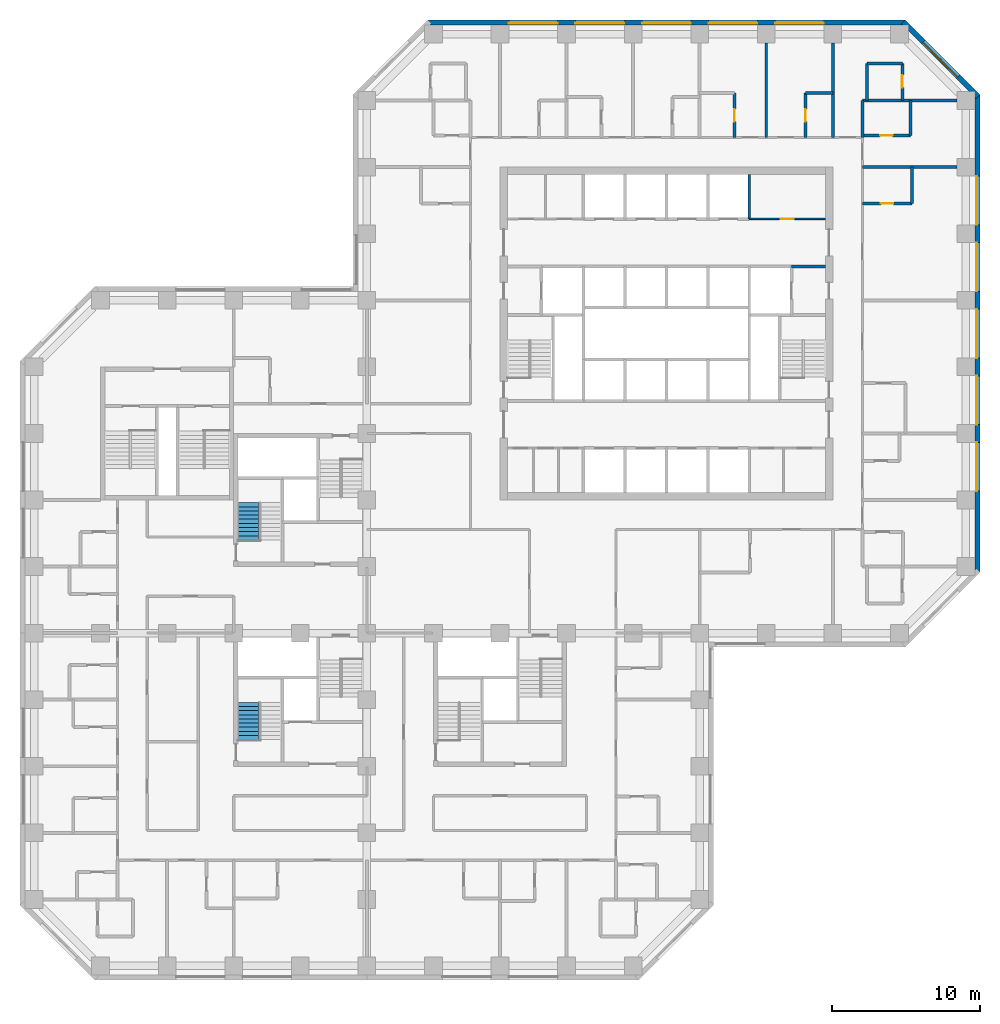
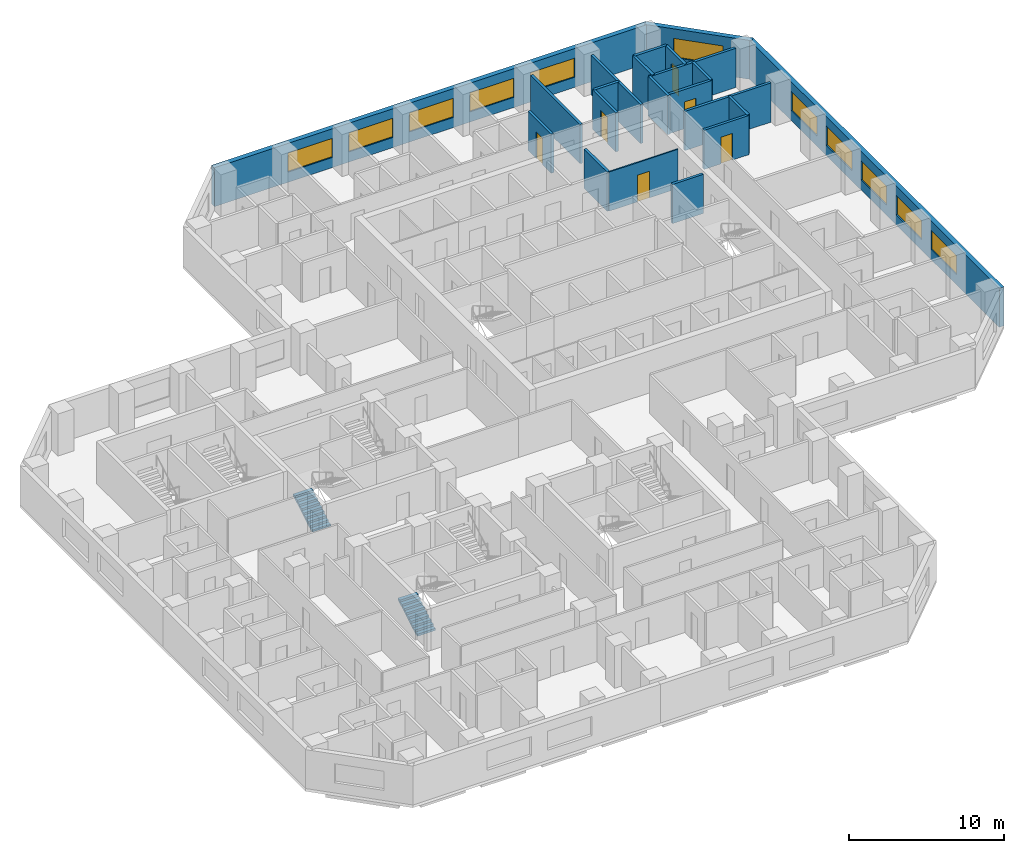
# One storey, part 10 of 12: 21 walls, 11 windows, 6 doors, 2 stair flights, 17 openings, 2 elements without a shape of their own.
"""IFC4 building model written with IfcOpenShell, lengths in metres."""

from ifc_helpers import new_model, si_unit, direction, frame, frame_2d, origin, place, context, subcontext, project, spatial, polyline, rectangle, outline, extrude, material, layer, layer_set, constituent, constituent_set, type_object, element, fill, aggregate, save


model = new_model("IFC4")

# Units and contexts
model_context = context("Model", 3, precision=1e-05, world=origin(), true_north=direction((0.0, 1.0)))
body_context = subcontext(model_context, "Body", "Model", "MODEL_VIEW")
ifc_project = project(units=[si_unit("LENGTHUNIT", "METRE"), si_unit("AREAUNIT", "SQUARE_METRE"), si_unit("VOLUMEUNIT", "CUBIC_METRE"), si_unit("PLANEANGLEUNIT", "RADIAN"), si_unit("MASSUNIT", "GRAM", prefix="KILO")], contexts=[model_context])

# Site, building, storey
site_placement = place(None, origin())
site = spatial("IfcSite", under=ifc_project, at=site_placement, CompositionType="ELEMENT")
building_placement = place(site_placement, origin())
building = spatial("IfcBuilding", under=site, at=building_placement, Name="Quoin Convention Tower", CompositionType="ELEMENT")
storey_placement = place(building_placement, frame((0.0, 0.0, 56.10009765625)))
storey = spatial("IfcBuildingStorey", under=building, at=storey_placement, Name="L14", CompositionType="ELEMENT", Elevation=56.10009765625)

# Wall, openings, windows
ifc_material_1 = material(Name="Brick masonry", Category="masonry")
ifc_layer_1 = layer(ifc_material_1, 0.35009765625)
ifc_layer_set_1 = layer_set([ifc_layer_1], Name="Brick masonry")
wall_type_1 = type_object("IfcWallType", Name="Brick facade wall", PredefinedType="STANDARD", material=ifc_layer_set_1)
wall_1_placement = place(storey_placement, frame((77.27490234375, 44.6064453125, 0.0), z_axis=(0.0, 0.0, 1.0), x_axis=(0.0, 1.0, 0.0)))
wall_1 = element("IfcWall", 1, at=wall_1_placement, inside=storey, type_object=wall_type_1, Name="fw-L14-76500_45000", PredefinedType="STANDARD", context=body_context, shape_type="SweptSolid", body=[
    extrude(rectangle(XDim=32.287109375, YDim=0.35009765625, at=frame_2d((16.1435546875, 0.0))), origin(), (0.0, 0.0, 1.0), 3.054931640625),
])
opening_1_placement = place(wall_1_placement, frame((5.493408203125, 0.0, 0.800048828125)))
opening_1 = element("IfcOpeningElement", 2, at=opening_1_placement, cuts=wall_1, Name="Opening W-01", PredefinedType="OPENING", context=body_context, shape_type="SweptSolid", body=[
    extrude(rectangle(XDim=3.300048828125, YDim=1.5, at=frame_2d((1.64990234375, 0.75))), frame((0.0, 0.18505859375, 0.0), z_axis=(0.0, -1.0, 0.0), x_axis=(1.0, 0.0, 0.0)), (0.0, 0.0, 1.0), 0.3701171875),
])
opening_2_placement = place(wall_1_placement, frame((9.993408203125, 0.0, 0.800048828125)))
opening_2 = element("IfcOpeningElement", 3, at=opening_2_placement, cuts=wall_1, Name="Opening W-01", PredefinedType="OPENING", context=body_context, shape_type="SweptSolid", body=[
    extrude(rectangle(XDim=3.300048828125, YDim=1.5, at=frame_2d((1.64990234375, 0.75))), frame((0.0, 0.18505859375, 0.0), z_axis=(0.0, -1.0, 0.0), x_axis=(1.0, 0.0, 0.0)), (0.0, 0.0, 1.0), 0.3701171875),
])
opening_3_placement = place(wall_1_placement, frame((14.493408203125, 0.0, 0.800048828125)))
opening_3 = element("IfcOpeningElement", 4, at=opening_3_placement, cuts=wall_1, Name="Opening W-01", PredefinedType="OPENING", context=body_context, shape_type="SweptSolid", body=[
    extrude(rectangle(XDim=3.300048828125, YDim=1.5, at=frame_2d((1.64990234375, 0.75))), frame((0.0, 0.18505859375, 0.0), z_axis=(0.0, -1.0, 0.0), x_axis=(1.0, 0.0, 0.0)), (0.0, 0.0, 1.0), 0.3701171875),
])
opening_4_placement = place(wall_1_placement, frame((18.993408203125, 0.0, 0.800048828125)))
opening_4 = element("IfcOpeningElement", 5, at=opening_4_placement, cuts=wall_1, Name="Opening W-01", PredefinedType="OPENING", context=body_context, shape_type="SweptSolid", body=[
    extrude(rectangle(XDim=3.300048828125, YDim=1.5, at=frame_2d((1.64990234375, 0.75))), frame((0.0, 0.18505859375, 0.0), z_axis=(0.0, -1.0, 0.0), x_axis=(1.0, 0.0, 0.0)), (0.0, 0.0, 1.0), 0.3701171875),
])
opening_5_placement = place(wall_1_placement, frame((23.493408203125, 0.0, 0.800048828125)))
opening_5 = element("IfcOpeningElement", 6, at=opening_5_placement, cuts=wall_1, Name="Opening W-01", PredefinedType="OPENING", context=body_context, shape_type="SweptSolid", body=[
    extrude(rectangle(XDim=3.300048828125, YDim=1.5, at=frame_2d((1.64990234375, 0.75))), frame((0.0, 0.18505859375, 0.0), z_axis=(0.0, -1.0, 0.0), x_axis=(1.0, 0.0, 0.0)), (0.0, 0.0, 1.0), 0.3701171875),
])
ifc_material_2 = material(Name="Aluminium", Category="aluminium")
ifc_constituent_1 = constituent(ifc_material_2, Name="Frame")
ifc_material_3 = material(Name="Insulated glass", Category="glass")
ifc_constituent_2 = constituent(ifc_material_3, Name="Glazing")
ifc_constituent_set = constituent_set(constituents=[ifc_constituent_1, ifc_constituent_2], Name="Aluminium")
window_type = type_object("IfcWindowType", Name="Hotel strip window", PartitioningType="DOUBLE_PANEL_VERTICAL", PredefinedType="WINDOW", material=ifc_constituent_set)
window_1_placement = place(opening_1_placement, origin())
window_1 = element("IfcWindow", 7, at=window_1_placement, inside=storey, type_object=window_type, Name="win-L14-77275_51750", OverallHeight=1.5, OverallWidth=3.300048828125, PartitioningType="SINGLE_PANEL", PredefinedType="WINDOW", context=body_context, shape_type="SweptSolid", body=[
    extrude(rectangle(XDim=3.300048828125, YDim=1.5, at=frame_2d((1.64990234375, 0.75))), frame((0.0, 0.0849609375, 0.0), z_axis=(0.0, -1.0, 0.0), x_axis=(1.0, 0.0, 0.0)), (0.0, 0.0, 1.0), 0.06005859375),
])
fill(opening_1, window_1)
window_2_placement = place(opening_2_placement, origin())
window_2 = element("IfcWindow", 8, at=window_2_placement, inside=storey, type_object=window_type, Name="win-L14-77275_56250", OverallHeight=1.5, OverallWidth=3.300048828125, PartitioningType="SINGLE_PANEL", PredefinedType="WINDOW", context=body_context, shape_type="SweptSolid", body=[
    extrude(rectangle(XDim=3.300048828125, YDim=1.5, at=frame_2d((1.64990234375, 0.75))), frame((0.0, 0.0849609375, 0.0), z_axis=(0.0, -1.0, 0.0), x_axis=(1.0, 0.0, 0.0)), (0.0, 0.0, 1.0), 0.06005859375),
])
fill(opening_2, window_2)
window_3_placement = place(opening_3_placement, origin())
window_3 = element("IfcWindow", 9, at=window_3_placement, inside=storey, type_object=window_type, Name="win-L14-77275_60750", OverallHeight=1.5, OverallWidth=3.300048828125, PartitioningType="SINGLE_PANEL", PredefinedType="WINDOW", context=body_context, shape_type="SweptSolid", body=[
    extrude(rectangle(XDim=3.300048828125, YDim=1.5, at=frame_2d((1.64990234375, 0.75))), frame((0.0, 0.0849609375, 0.0), z_axis=(0.0, -1.0, 0.0), x_axis=(1.0, 0.0, 0.0)), (0.0, 0.0, 1.0), 0.06005859375),
])
fill(opening_3, window_3)
window_4_placement = place(opening_4_placement, origin())
window_4 = element("IfcWindow", 10, at=window_4_placement, inside=storey, type_object=window_type, Name="win-L14-77275_65250", OverallHeight=1.5, OverallWidth=3.300048828125, PartitioningType="SINGLE_PANEL", PredefinedType="WINDOW", context=body_context, shape_type="SweptSolid", body=[
    extrude(rectangle(XDim=3.300048828125, YDim=1.5, at=frame_2d((1.64990234375, 0.75))), frame((0.0, 0.0849609375, 0.0), z_axis=(0.0, -1.0, 0.0), x_axis=(1.0, 0.0, 0.0)), (0.0, 0.0, 1.0), 0.06005859375),
])
fill(opening_4, window_4)
window_5_placement = place(opening_5_placement, origin())
window_5 = element("IfcWindow", 11, at=window_5_placement, inside=storey, type_object=window_type, Name="win-L14-77275_69750", OverallHeight=1.5, OverallWidth=3.300048828125, PartitioningType="SINGLE_PANEL", PredefinedType="WINDOW", context=body_context, shape_type="SweptSolid", body=[
    extrude(rectangle(XDim=3.300048828125, YDim=1.5, at=frame_2d((1.64990234375, 0.75))), frame((0.0, 0.0849609375, 0.0), z_axis=(0.0, -1.0, 0.0), x_axis=(1.0, 0.0, 0.0)), (0.0, 0.0, 1.0), 0.06005859375),
])
fill(opening_5, window_5)

# Wall, opening, window
wall_2_placement = place(storey_placement, frame((77.326416015625, 76.769775390625, 0.0), z_axis=(0.0, 0.0, 1.0), x_axis=(-0.707106781187, 0.707106781187, 0.0)))
wall_2 = element("IfcWall", 12, at=wall_2_placement, inside=storey, type_object=wall_type_1, Name="fw-L14-76500_76500", PredefinedType="STANDARD", context=body_context, shape_type="SweptSolid", body=[
    extrude(rectangle(XDim=7.151123046875, YDim=0.35009765625, at=frame_2d((3.57568359375, 0.0))), origin(), (0.0, 0.0, 1.0), 3.054931640625),
])
opening_6_placement = place(wall_2_placement, frame((1.925537109375, 0.0, 0.800048828125)))
opening_6 = element("IfcOpeningElement", 13, at=opening_6_placement, cuts=wall_2, Name="Opening W-01", PredefinedType="OPENING", context=body_context, shape_type="SweptSolid", body=[
    extrude(rectangle(XDim=3.300048828125, YDim=1.5, at=frame_2d((1.64990234375, 0.75))), frame((0.0, 0.18505859375, 0.0), z_axis=(0.0, -1.0, 0.0), x_axis=(1.0, 0.0, 0.0)), (0.0, 0.0, 1.0), 0.3701171875),
])
window_6_placement = place(opening_6_placement, origin())
window_6 = element("IfcWindow", 14, at=window_6_placement, inside=storey, type_object=window_type, Name="win-L14-74798_79298", OverallHeight=1.5, OverallWidth=3.300048828125, PartitioningType="SINGLE_PANEL", PredefinedType="WINDOW", context=body_context, shape_type="SweptSolid", body=[
    extrude(rectangle(XDim=3.300048828125, YDim=1.5, at=frame_2d((1.64990234375, 0.75))), frame((0.0, 0.0849609375, 0.0), z_axis=(0.0, -1.0, 0.0), x_axis=(1.0, 0.0, 0.0)), (0.0, 0.0, 1.0), 0.06005859375),
])
fill(opening_6, window_6)

# Wall, openings, windows
wall_3_placement = place(storey_placement, frame((72.3935546875, 81.77490234375, 0.0), z_axis=(0.0, 0.0, 1.0), x_axis=(-1.0, 0.0, 0.0)))
wall_3 = element("IfcWall", 15, at=wall_3_placement, inside=storey, type_object=wall_type_1, Name="fw-L14-72000_81000", PredefinedType="STANDARD", context=body_context, shape_type="SweptSolid", body=[
    extrude(rectangle(XDim=32.287109375, YDim=0.35009765625, at=frame_2d((16.1435546875, 0.0))), origin(), (0.0, 0.0, 1.0), 3.054931640625),
])
opening_7_placement = place(wall_3_placement, frame((5.493408203125, 0.0, 0.800048828125)))
opening_7 = element("IfcOpeningElement", 16, at=opening_7_placement, cuts=wall_3, Name="Opening W-01", PredefinedType="OPENING", context=body_context, shape_type="SweptSolid", body=[
    extrude(rectangle(XDim=3.300048828125, YDim=1.5, at=frame_2d((1.64990234375, 0.75))), frame((0.0, 0.18505859375, 0.0), z_axis=(0.0, -1.0, 0.0), x_axis=(1.0, 0.0, 0.0)), (0.0, 0.0, 1.0), 0.3701171875),
])
opening_8_placement = place(wall_3_placement, frame((9.993408203125, 0.0, 0.800048828125)))
opening_8 = element("IfcOpeningElement", 17, at=opening_8_placement, cuts=wall_3, Name="Opening W-01", PredefinedType="OPENING", context=body_context, shape_type="SweptSolid", body=[
    extrude(rectangle(XDim=3.300048828125, YDim=1.5, at=frame_2d((1.64990234375, 0.75))), frame((0.0, 0.18505859375, 0.0), z_axis=(0.0, -1.0, 0.0), x_axis=(1.0, 0.0, 0.0)), (0.0, 0.0, 1.0), 0.3701171875),
])
opening_9_placement = place(wall_3_placement, frame((14.493408203125, 0.0, 0.800048828125)))
opening_9 = element("IfcOpeningElement", 18, at=opening_9_placement, cuts=wall_3, Name="Opening W-01", PredefinedType="OPENING", context=body_context, shape_type="SweptSolid", body=[
    extrude(rectangle(XDim=3.300048828125, YDim=1.5, at=frame_2d((1.64990234375, 0.75))), frame((0.0, 0.18505859375, 0.0), z_axis=(0.0, -1.0, 0.0), x_axis=(1.0, 0.0, 0.0)), (0.0, 0.0, 1.0), 0.3701171875),
])
opening_10_placement = place(wall_3_placement, frame((18.993408203125, 0.0, 0.800048828125)))
opening_10 = element("IfcOpeningElement", 19, at=opening_10_placement, cuts=wall_3, Name="Opening W-01", PredefinedType="OPENING", context=body_context, shape_type="SweptSolid", body=[
    extrude(rectangle(XDim=3.300048828125, YDim=1.5, at=frame_2d((1.64990234375, 0.75))), frame((0.0, 0.18505859375, 0.0), z_axis=(0.0, -1.0, 0.0), x_axis=(1.0, 0.0, 0.0)), (0.0, 0.0, 1.0), 0.3701171875),
])
opening_11_placement = place(wall_3_placement, frame((23.493408203125, 0.0, 0.800048828125)))
opening_11 = element("IfcOpeningElement", 20, at=opening_11_placement, cuts=wall_3, Name="Opening W-01", PredefinedType="OPENING", context=body_context, shape_type="SweptSolid", body=[
    extrude(rectangle(XDim=3.300048828125, YDim=1.5, at=frame_2d((1.64990234375, 0.75))), frame((0.0, 0.18505859375, 0.0), z_axis=(0.0, -1.0, 0.0), x_axis=(1.0, 0.0, 0.0)), (0.0, 0.0, 1.0), 0.3701171875),
])
window_7_placement = place(opening_7_placement, origin())
window_7 = element("IfcWindow", 21, at=window_7_placement, inside=storey, type_object=window_type, Name="win-L14-65250_81775", OverallHeight=1.5, OverallWidth=3.300048828125, PartitioningType="SINGLE_PANEL", PredefinedType="WINDOW", context=body_context, shape_type="SweptSolid", body=[
    extrude(rectangle(XDim=3.300048828125, YDim=1.5, at=frame_2d((1.64990234375, 0.75))), frame((0.0, 0.0849609375, 0.0), z_axis=(0.0, -1.0, 0.0), x_axis=(1.0, 0.0, 0.0)), (0.0, 0.0, 1.0), 0.06005859375),
])
fill(opening_7, window_7)
window_8_placement = place(opening_8_placement, origin())
window_8 = element("IfcWindow", 22, at=window_8_placement, inside=storey, type_object=window_type, Name="win-L14-60750_81775", OverallHeight=1.5, OverallWidth=3.300048828125, PartitioningType="SINGLE_PANEL", PredefinedType="WINDOW", context=body_context, shape_type="SweptSolid", body=[
    extrude(rectangle(XDim=3.300048828125, YDim=1.5, at=frame_2d((1.64990234375, 0.75))), frame((0.0, 0.0849609375, 0.0), z_axis=(0.0, -1.0, 0.0), x_axis=(1.0, 0.0, 0.0)), (0.0, 0.0, 1.0), 0.06005859375),
])
fill(opening_8, window_8)
window_9_placement = place(opening_9_placement, origin())
window_9 = element("IfcWindow", 23, at=window_9_placement, inside=storey, type_object=window_type, Name="win-L14-56250_81775", OverallHeight=1.5, OverallWidth=3.300048828125, PartitioningType="SINGLE_PANEL", PredefinedType="WINDOW", context=body_context, shape_type="SweptSolid", body=[
    extrude(rectangle(XDim=3.300048828125, YDim=1.5, at=frame_2d((1.64990234375, 0.75))), frame((0.0, 0.0849609375, 0.0), z_axis=(0.0, -1.0, 0.0), x_axis=(1.0, 0.0, 0.0)), (0.0, 0.0, 1.0), 0.06005859375),
])
fill(opening_9, window_9)
window_10_placement = place(opening_10_placement, origin())
window_10 = element("IfcWindow", 24, at=window_10_placement, inside=storey, type_object=window_type, Name="win-L14-51750_81775", OverallHeight=1.5, OverallWidth=3.300048828125, PartitioningType="SINGLE_PANEL", PredefinedType="WINDOW", context=body_context, shape_type="SweptSolid", body=[
    extrude(rectangle(XDim=3.300048828125, YDim=1.5, at=frame_2d((1.64990234375, 0.75))), frame((0.0, 0.0849609375, 0.0), z_axis=(0.0, -1.0, 0.0), x_axis=(1.0, 0.0, 0.0)), (0.0, 0.0, 1.0), 0.06005859375),
])
fill(opening_10, window_10)
window_11_placement = place(opening_11_placement, origin())
window_11 = element("IfcWindow", 25, at=window_11_placement, inside=storey, type_object=window_type, Name="win-L14-47250_81775", OverallHeight=1.5, OverallWidth=3.300048828125, PartitioningType="SINGLE_PANEL", PredefinedType="WINDOW", context=body_context, shape_type="SweptSolid", body=[
    extrude(rectangle(XDim=3.300048828125, YDim=1.5, at=frame_2d((1.64990234375, 0.75))), frame((0.0, 0.0849609375, 0.0), z_axis=(0.0, -1.0, 0.0), x_axis=(1.0, 0.0, 0.0)), (0.0, 0.0, 1.0), 0.06005859375),
])
fill(opening_11, window_11)

# Wall, opening, door
ifc_material_4 = material(Name="Plasterboard")
ifc_layer_2 = layer(ifc_material_4, 0.012451171875, Name="Finish")
ifc_material_5 = material(Name="Steel stud framing", Category="steel")
ifc_layer_3 = layer(ifc_material_5, 0.074951171875, Name="Structure")
ifc_layer_4 = layer(ifc_material_4, 0.012451171875, Name="Finish")
ifc_layer_set_2 = layer_set([ifc_layer_2, ifc_layer_3, ifc_layer_4], Name="Steel stud framing")
wall_type_2 = type_object("IfcWallType", Name="Core partition wall", PredefinedType="PARTITIONING", material=ifc_layer_set_2)
wall_4_placement = place(storey_placement, frame((61.85009765625, 68.5, 0.0), z_axis=(0.0, 0.0, 1.0), x_axis=(1.0, 0.0, 0.0)))
wall_4 = element("IfcWall", 26, at=wall_4_placement, inside=storey, type_object=wall_type_2, Name="cr-C1-L14-h19000_16850", PredefinedType="PARTITIONING", context=body_context, shape_type="SweptSolid", body=[
    extrude(rectangle(XDim=5.14990234375, YDim=0.10009765625, at=frame_2d((2.574951171875, 0.0))), origin(), (0.0, 0.0, 1.0), 3.079833984375),
])
opening_12_placement = place(wall_4_placement, frame((2.125, 0.0, 0.0)))
opening_12 = element("IfcOpeningElement", 27, at=opening_12_placement, cuts=wall_4, Name="Opening DCV5-01", PredefinedType="OPENING", context=body_context, shape_type="SweptSolid", body=[
    extrude(rectangle(XDim=0.89990234375, YDim=2.10009765625, at=frame_2d((0.449951171875, 1.050048828125))), frame((0.0, 0.06005859375, 0.0), z_axis=(0.0, -1.0, 0.0), x_axis=(1.0, 0.0, 0.0)), (0.0, 0.0, 1.0), 0.1201171875),
])
ifc_material_6 = material(Name="Steel door leaf", Category="steel")
door_type_1 = type_object("IfcDoorType", Name="Core room door 900 x 2100", OperationType="SINGLE_SWING_LEFT", PredefinedType="DOOR", material=ifc_material_6)
door_1_placement = place(opening_12_placement, origin())
door_1 = element("IfcDoor", 28, at=door_1_placement, inside=storey, type_object=door_type_1, Name="cd-C1-L14-CNE0-lobB-CD1407", OperationType="SINGLE_SWING_LEFT", OverallHeight=2.10009765625, OverallWidth=0.89990234375, PredefinedType="DOOR", context=body_context, shape_type="SweptSolid", body=[
    extrude(rectangle(XDim=0.89990234375, YDim=2.10009765625, at=frame_2d((0.449951171875, 1.050048828125))), frame((0.0, 0.02490234375, 0.0), z_axis=(0.0, -1.0, 0.0), x_axis=(1.0, 0.0, 0.0)), (0.0, 0.0, 1.0), 0.050048828125),
])
fill(opening_12, door_1)

# Walls
ifc_material_7 = material(Name="Concrete C50", Category="concrete")
ifc_layer_5 = layer(ifc_material_7, 0.199951171875)
ifc_layer_set_3 = layer_set([ifc_layer_5], Name="Concrete C50")
wall_type_3 = type_object("IfcWallType", Name="Core shaft wall", PredefinedType="SOLIDWALL", material=ifc_layer_set_3)
wall_5_placement = place(storey_placement, frame((64.699951171875, 65.300048828125, 0.0), z_axis=(0.0, 0.0, 1.0), x_axis=(1.0, 0.0, 0.0)))
element("IfcWall", 29, at=wall_5_placement, inside=storey, type_object=wall_type_3, Name="cr-C1-L14-h15800_19700", PredefinedType="SOLIDWALL", context=body_context, shape_type="SweptSolid", body=[
    extrude(rectangle(XDim=2.300048828125, YDim=0.199951171875, at=frame_2d((1.14990234375, 0.0))), origin(), (0.0, 0.0, 1.0), 3.079833984375),
])
wall_6_placement = place(storey_placement, frame((61.85009765625, 68.5, 0.0), z_axis=(0.0, 0.0, 1.0), x_axis=(0.0, 1.0, 0.0)))
element("IfcWall", 30, at=wall_6_placement, inside=storey, type_object=wall_type_3, Name="cr-C1-L14-v16850_19000", PredefinedType="SOLIDWALL", context=body_context, shape_type="SweptSolid", body=[
    extrude(rectangle(XDim=3.0, YDim=0.199951171875, at=frame_2d((1.5, 0.0))), origin(), (0.0, 0.0, 1.0), 3.079833984375),
])

# Wall, opening, door
ifc_layer_6 = layer(ifc_material_7, 0.199951171875)
ifc_layer_set_4 = layer_set([ifc_layer_6], Name="Concrete C50")
wall_type_4 = type_object("IfcWallType", Name="RC party wall", PredefinedType="SOLIDWALL", material=ifc_layer_set_4)
wall_7_placement = place(storey_placement, frame((69.5, 69.550048828125, 0.0), z_axis=(0.0, 0.0, 1.0), x_axis=(1.0, 0.0, 0.0)))
wall_7 = element("IfcWall", 31, at=wall_7_placement, inside=storey, type_object=wall_type_4, Name="pw-L14-116", PredefinedType="SOLIDWALL", context=body_context, shape_type="SweptSolid", body=[
    extrude(rectangle(XDim=3.35009765625, YDim=0.199951171875, at=frame_2d((1.675048828125, 0.0))), origin(), (0.0, 0.0, 1.0), 3.079833984375),
])
opening_13_placement = place(wall_7_placement, frame((1.25, 0.0, 0.0)))
opening_13 = element("IfcOpeningElement", 32, at=opening_13_placement, cuts=wall_7, Name="Opening DHOTEL-C-64", PredefinedType="OPENING", context=body_context, shape_type="SweptSolid", body=[
    extrude(rectangle(XDim=0.85009765625, YDim=2.10009765625, at=frame_2d((0.425048828125, 1.050048828125))), frame((0.0, 0.10986328125, 0.0), z_axis=(0.0, -1.0, 0.0), x_axis=(1.0, 0.0, 0.0)), (0.0, 0.0, 1.0), 0.219970703125),
])
door_type_2 = type_object("IfcDoorType", Name="Bathroom door", OperationType="SINGLE_SWING_LEFT", PredefinedType="DOOR", material=ifc_material_6)
door_2_placement = place(opening_13_placement, frame((0.85009765625, 0.0, 0.0), z_axis=(0.0, 0.0, 1.0), x_axis=(-1.0, 0.0, 0.0)))
door_2 = element("IfcDoor", 33, at=door_2_placement, inside=storey, type_object=door_type_2, Name="dr-L14-050", OperationType="SINGLE_SWING_RIGHT", OverallHeight=2.10009765625, OverallWidth=0.85009765625, PredefinedType="DOOR", context=body_context, shape_type="SweptSolid", body=[
    extrude(rectangle(XDim=0.85009765625, YDim=2.10009765625, at=frame_2d((0.425048828125, 1.050048828125))), frame((0.0, 0.02490234375, 0.0), z_axis=(0.0, -1.0, 0.0), x_axis=(1.0, 0.0, 0.0)), (0.0, 0.0, 1.0), 0.050048828125),
])
fill(opening_13, door_2)

# Walls
wall_8_placement = place(storey_placement, frame((72.85009765625, 69.550048828125, 0.0), z_axis=(0.0, 0.0, 1.0), x_axis=(0.0, 1.0, 0.0)))
element("IfcWall", 34, at=wall_8_placement, inside=storey, type_object=wall_type_4, Name="pw-L14-117", PredefinedType="SOLIDWALL", context=body_context, shape_type="SweptSolid", body=[
    extrude(rectangle(XDim=2.449951171875, YDim=0.199951171875, at=frame_2d((1.22509765625, 0.0))), origin(), (0.0, 0.0, 1.0), 3.079833984375),
])
wall_9_placement = place(storey_placement, frame((69.5, 72.0, 0.0), z_axis=(0.0, 0.0, 1.0), x_axis=(1.0, 0.0, 0.0)))
element("IfcWall", 35, at=wall_9_placement, inside=storey, type_object=wall_type_4, Name="pw-L14-119", PredefinedType="SOLIDWALL", context=body_context, shape_type="SweptSolid", body=[
    extrude(rectangle(XDim=6.39990234375, YDim=0.199951171875, at=frame_2d((3.199951171875, 0.0))), origin(), (0.0, 0.0, 1.0), 3.079833984375),
])

# Wall, opening, door
wall_10_placement = place(storey_placement, frame((60.85009765625, 74.0, 0.0), z_axis=(0.0, 0.0, 1.0), x_axis=(0.0, 1.0, 0.0)))
wall_10 = element("IfcWall", 36, at=wall_10_placement, inside=storey, type_object=wall_type_4, Name="pw-L14-128", PredefinedType="SOLIDWALL", context=body_context, shape_type="SweptSolid", body=[
    extrude(rectangle(XDim=3.0, YDim=0.199951171875, at=frame_2d((1.5, 0.0))), origin(), (0.0, 0.0, 1.0), 3.079833984375),
])
opening_14_placement = place(wall_10_placement, frame((1.074951171875, 0.0, 0.0)))
opening_14 = element("IfcOpeningElement", 37, at=opening_14_placement, cuts=wall_10, Name="Opening DHOTEL-C-68", PredefinedType="OPENING", context=body_context, shape_type="SweptSolid", body=[
    extrude(rectangle(XDim=0.85009765625, YDim=2.10009765625, at=frame_2d((0.425048828125, 1.050048828125))), frame((0.0, 0.10986328125, 0.0), z_axis=(0.0, -1.0, 0.0), x_axis=(1.0, 0.0, 0.0)), (0.0, 0.0, 1.0), 0.219970703125),
])
door_3_placement = place(opening_14_placement, frame((0.85009765625, 0.0, 0.0), z_axis=(0.0, 0.0, 1.0), x_axis=(-1.0, 0.0, 0.0)))
door_3 = element("IfcDoor", 38, at=door_3_placement, inside=storey, type_object=door_type_2, Name="dr-L14-044", OperationType="SINGLE_SWING_RIGHT", OverallHeight=2.10009765625, OverallWidth=0.85009765625, PredefinedType="DOOR", context=body_context, shape_type="SweptSolid", body=[
    extrude(rectangle(XDim=0.85009765625, YDim=2.10009765625, at=frame_2d((0.425048828125, 1.050048828125))), frame((0.0, 0.02490234375, 0.0), z_axis=(0.0, -1.0, 0.0), x_axis=(1.0, 0.0, 0.0)), (0.0, 0.0, 1.0), 0.050048828125),
])
fill(opening_14, door_3)

# Wall
wall_11_placement = place(storey_placement, frame((63.0, 74.0, 0.0), z_axis=(0.0, 0.0, 1.0), x_axis=(0.0, 1.0, 0.0)))
element("IfcWall", 39, at=wall_11_placement, inside=storey, type_object=wall_type_4, Name="pw-L14-129", PredefinedType="SOLIDWALL", context=body_context, shape_type="SweptSolid", body=[
    extrude(rectangle(XDim=6.39990234375, YDim=0.199951171875, at=frame_2d((3.199951171875, 0.0))), origin(), (0.0, 0.0, 1.0), 3.079833984375),
])

# Wall, opening, door
wall_12_placement = place(storey_placement, frame((65.64990234375, 74.0, 0.0), z_axis=(0.0, 0.0, 1.0), x_axis=(0.0, 1.0, 0.0)))
wall_12 = element("IfcWall", 40, at=wall_12_placement, inside=storey, type_object=wall_type_4, Name="pw-L14-130", PredefinedType="SOLIDWALL", context=body_context, shape_type="SweptSolid", body=[
    extrude(rectangle(XDim=3.0, YDim=0.199951171875, at=frame_2d((1.5, 0.0))), origin(), (0.0, 0.0, 1.0), 3.079833984375),
])
opening_15_placement = place(wall_12_placement, frame((1.074951171875, 0.0, 0.0)))
opening_15 = element("IfcOpeningElement", 41, at=opening_15_placement, cuts=wall_12, Name="Opening DHOTEL-C-69", PredefinedType="OPENING", context=body_context, shape_type="SweptSolid", body=[
    extrude(rectangle(XDim=0.85009765625, YDim=2.10009765625, at=frame_2d((0.425048828125, 1.050048828125))), frame((0.0, 0.10986328125, 0.0), z_axis=(0.0, -1.0, 0.0), x_axis=(1.0, 0.0, 0.0)), (0.0, 0.0, 1.0), 0.219970703125),
])
door_4_placement = place(opening_15_placement, origin())
door_4 = element("IfcDoor", 42, at=door_4_placement, inside=storey, type_object=door_type_2, Name="dr-L14-046", OperationType="SINGLE_SWING_LEFT", OverallHeight=2.10009765625, OverallWidth=0.85009765625, PredefinedType="DOOR", context=body_context, shape_type="SweptSolid", body=[
    extrude(rectangle(XDim=0.85009765625, YDim=2.10009765625, at=frame_2d((0.425048828125, 1.050048828125))), frame((0.0, 0.02490234375, 0.0), z_axis=(0.0, -1.0, 0.0), x_axis=(1.0, 0.0, 0.0)), (0.0, 0.0, 1.0), 0.050048828125),
])
fill(opening_15, door_4)

# Walls
wall_13_placement = place(storey_placement, frame((67.5, 74.0, 0.0), z_axis=(0.0, 0.0, 1.0), x_axis=(0.0, 1.0, 0.0)))
element("IfcWall", 43, at=wall_13_placement, inside=storey, type_object=wall_type_4, Name="pw-L14-131", PredefinedType="SOLIDWALL", context=body_context, shape_type="SweptSolid", body=[
    extrude(rectangle(XDim=6.39990234375, YDim=0.199951171875, at=frame_2d((3.199951171875, 0.0))), origin(), (0.0, 0.0, 1.0), 3.079833984375),
])
wall_14_placement = place(storey_placement, frame((69.5, 74.0, 0.0), z_axis=(0.0, 0.0, 1.0), x_axis=(0.0, 1.0, 0.0)))
element("IfcWall", 44, at=wall_14_placement, inside=storey, type_object=wall_type_4, Name="pw-L14-132", PredefinedType="SOLIDWALL", context=body_context, shape_type="SweptSolid", body=[
    extrude(rectangle(XDim=2.5, YDim=0.199951171875, at=frame_2d((1.25, 0.0))), origin(), (0.0, 0.0, 1.0), 3.079833984375),
])

# Wall, opening, door
wall_15_placement = place(storey_placement, frame((69.5, 74.14990234375, 0.0), z_axis=(0.0, 0.0, 1.0), x_axis=(1.0, 0.0, 0.0)))
wall_15 = element("IfcWall", 45, at=wall_15_placement, inside=storey, type_object=wall_type_4, Name="pw-L14-135", PredefinedType="SOLIDWALL", context=body_context, shape_type="SweptSolid", body=[
    extrude(rectangle(XDim=3.25, YDim=0.199951171875, at=frame_2d((1.625, 0.0))), origin(), (0.0, 0.0, 1.0), 3.079833984375),
])
opening_16_placement = place(wall_15_placement, frame((1.199951171875, 0.0, 0.0)))
opening_16 = element("IfcOpeningElement", 46, at=opening_16_placement, cuts=wall_15, Name="Opening DHOTEL-C-71", PredefinedType="OPENING", context=body_context, shape_type="SweptSolid", body=[
    extrude(rectangle(XDim=0.85009765625, YDim=2.10009765625, at=frame_2d((0.425048828125, 1.050048828125))), frame((0.0, 0.10986328125, 0.0), z_axis=(0.0, -1.0, 0.0), x_axis=(1.0, 0.0, 0.0)), (0.0, 0.0, 1.0), 0.219970703125),
])
door_5_placement = place(opening_16_placement, frame((0.85009765625, 0.0, 0.0), z_axis=(0.0, 0.0, 1.0), x_axis=(-1.0, 0.0, 0.0)))
door_5 = element("IfcDoor", 47, at=door_5_placement, inside=storey, type_object=door_type_2, Name="dr-L14-048", OperationType="SINGLE_SWING_RIGHT", OverallHeight=2.10009765625, OverallWidth=0.85009765625, PredefinedType="DOOR", context=body_context, shape_type="SweptSolid", body=[
    extrude(rectangle(XDim=0.85009765625, YDim=2.10009765625, at=frame_2d((0.425048828125, 1.050048828125))), frame((0.0, 0.02490234375, 0.0), z_axis=(0.0, -1.0, 0.0), x_axis=(1.0, 0.0, 0.0)), (0.0, 0.0, 1.0), 0.050048828125),
])
fill(opening_16, door_5)

# Walls
wall_16_placement = place(storey_placement, frame((72.75, 74.14990234375, 0.0), z_axis=(0.0, 0.0, 1.0), x_axis=(0.0, 1.0, 0.0)))
element("IfcWall", 48, at=wall_16_placement, inside=storey, type_object=wall_type_4, Name="pw-L14-136", PredefinedType="SOLIDWALL", context=body_context, shape_type="SweptSolid", body=[
    extrude(rectangle(XDim=2.35009765625, YDim=0.199951171875, at=frame_2d((1.175048828125, 0.0))), origin(), (0.0, 0.0, 1.0), 3.079833984375),
])
wall_17_placement = place(storey_placement, frame((69.5, 76.5, 0.0), z_axis=(0.0, 0.0, 1.0), x_axis=(1.0, 0.0, 0.0)))
element("IfcWall", 49, at=wall_17_placement, inside=storey, type_object=wall_type_4, Name="pw-L14-141", PredefinedType="SOLIDWALL", context=body_context, shape_type="SweptSolid", body=[
    extrude(rectangle(XDim=6.39990234375, YDim=0.199951171875, at=frame_2d((3.199951171875, 0.0))), origin(), (0.0, 0.0, 1.0), 3.079833984375),
])
wall_18_placement = place(storey_placement, frame((69.800048828125, 76.5, 0.0), z_axis=(0.0, 0.0, 1.0), x_axis=(0.0, 1.0, 0.0)))
element("IfcWall", 50, at=wall_18_placement, inside=storey, type_object=wall_type_4, Name="pw-L14-142", PredefinedType="SOLIDWALL", context=body_context, shape_type="SweptSolid", body=[
    extrude(rectangle(XDim=2.5, YDim=0.199951171875, at=frame_2d((1.25, 0.0))), origin(), (0.0, 0.0, 1.0), 3.079833984375),
])

# Wall, opening, door
wall_19_placement = place(storey_placement, frame((72.199951171875, 76.5, 0.0), z_axis=(0.0, 0.0, 1.0), x_axis=(0.0, 1.0, 0.0)))
wall_19 = element("IfcWall", 51, at=wall_19_placement, inside=storey, type_object=wall_type_4, Name="pw-L14-143", PredefinedType="SOLIDWALL", context=body_context, shape_type="SweptSolid", body=[
    extrude(rectangle(XDim=2.5, YDim=0.199951171875, at=frame_2d((1.25, 0.0))), origin(), (0.0, 0.0, 1.0), 3.079833984375),
])
opening_17_placement = place(wall_19_placement, frame((0.875, 0.0, 0.0)))
opening_17 = element("IfcOpeningElement", 52, at=opening_17_placement, cuts=wall_19, Name="Opening DHOTEL-C-73", PredefinedType="OPENING", context=body_context, shape_type="SweptSolid", body=[
    extrude(rectangle(XDim=0.85009765625, YDim=2.10009765625, at=frame_2d((0.425048828125, 1.050048828125))), frame((0.0, 0.10986328125, 0.0), z_axis=(0.0, -1.0, 0.0), x_axis=(1.0, 0.0, 0.0)), (0.0, 0.0, 1.0), 0.219970703125),
])
door_6_placement = place(opening_17_placement, frame((0.85009765625, 0.0, 0.0), z_axis=(0.0, 0.0, 1.0), x_axis=(-1.0, 0.0, 0.0)))
door_6 = element("IfcDoor", 53, at=door_6_placement, inside=storey, type_object=door_type_2, Name="dr-L14-068", OperationType="SINGLE_SWING_LEFT", OverallHeight=2.10009765625, OverallWidth=0.85009765625, PredefinedType="DOOR", context=body_context, shape_type="SweptSolid", body=[
    extrude(rectangle(XDim=0.85009765625, YDim=2.10009765625, at=frame_2d((0.425048828125, 1.050048828125))), frame((0.0, 0.02490234375, 0.0), z_axis=(0.0, -1.0, 0.0), x_axis=(1.0, 0.0, 0.0)), (0.0, 0.0, 1.0), 0.050048828125),
])
fill(opening_17, door_6)

# Walls
wall_20_placement = place(storey_placement, frame((65.64990234375, 77.0, 0.0), z_axis=(0.0, 0.0, 1.0), x_axis=(1.0, 0.0, 0.0)))
element("IfcWall", 54, at=wall_20_placement, inside=storey, type_object=wall_type_4, Name="pw-L14-147", PredefinedType="SOLIDWALL", context=body_context, shape_type="SweptSolid", body=[
    extrude(rectangle(XDim=1.85009765625, YDim=0.199951171875, at=frame_2d((0.925048828125, 0.0))), origin(), (0.0, 0.0, 1.0), 3.079833984375),
])
wall_21_placement = place(storey_placement, frame((69.800048828125, 79.0, 0.0), z_axis=(0.0, 0.0, 1.0), x_axis=(1.0, 0.0, 0.0)))
element("IfcWall", 55, at=wall_21_placement, inside=storey, type_object=wall_type_4, Name="pw-L14-149", PredefinedType="SOLIDWALL", context=body_context, shape_type="SweptSolid", body=[
    extrude(rectangle(XDim=2.39990234375, YDim=0.199951171875, at=frame_2d((1.199951171875, 0.0))), origin(), (0.0, 0.0, 1.0), 3.079833984375),
])

# Stair, stair flight
ifc_material_8 = material(Name="Concrete C40", Category="concrete")
stair_type = type_object("IfcStairType", Name="Exit stair two-flight 1350", PredefinedType="HALF_TURN_STAIR", material=ifc_material_8)
stair_1_placement = place(storey_placement, origin())
stair_1 = element("IfcStair", 56, at=stair_1_placement, inside=storey, type_object=stair_type, Name="SD3 L14", PredefinedType="HALF_TURN_STAIR")
stair_flight_type = type_object("IfcStairFlightType", Name="Stair flight 1350", PredefinedType="STRAIGHT", material=ifc_material_8)
stair_flight_1_placement = place(storey_placement, frame((28.0, 46.800048828125, 0.0), z_axis=(0.0, 0.0, 1.0), x_axis=(0.0, 1.0, 0.0)))
stair_flight_1 = element("IfcStairFlight", 57, at=stair_flight_1_placement, type_object=stair_flight_type, Name="ST3 flight 1", NumberOfRisers=10, NumberOfTreads=9, PredefinedType="STRAIGHT", RiserHeight=0.165, TreadLength=0.28, context=body_context, shape_type="SweptSolid", body=[
    extrude(outline(polyline([(0.0, 0.0), (0.0, 0.1650390625), (0.280029296875, 0.1650390625), (0.280029296875, 0.330078125), (0.56005859375, 0.330078125), (0.56005859375, 0.4951171875), (0.840087890625, 0.4951171875), (0.840087890625, 0.659912109375), (1.1201171875, 0.659912109375), (1.1201171875, 0.824951171875), (1.39990234375, 0.824951171875), (1.39990234375, 0.989990234375), (1.679931640625, 0.989990234375), (1.679931640625, 1.155029296875), (1.9599609375, 1.155029296875), (1.9599609375, 1.320068359375), (2.239990234375, 1.320068359375), (2.239990234375, 1.485107421875), (2.52001953125, 1.485107421875), (2.52001953125, 1.64990234375), (2.52001953125, 1.345458984375), (0.236572265625, 0.0), (0.0, 0.0)])), frame((0.0, 0.675048828125, 0.0), z_axis=(0.0, -1.0, 0.0), x_axis=(1.0, 0.0, 0.0)), (0.0, 0.0, 1.0), 1.35009765625),
])
aggregate(stair_1, [stair_flight_1])

stair_2_placement = place(storey_placement, origin())
stair_2 = element("IfcStair", 58, at=stair_2_placement, inside=storey, type_object=stair_type, Name="SD7 L14", PredefinedType="HALF_TURN_STAIR")
stair_flight_2_placement = place(storey_placement, frame((28.0, 33.300048828125, 0.0), z_axis=(0.0, 0.0, 1.0), x_axis=(0.0, 1.0, 0.0)))
stair_flight_2 = element("IfcStairFlight", 59, at=stair_flight_2_placement, type_object=stair_flight_type, Name="ST7 flight 1", NumberOfRisers=10, NumberOfTreads=9, PredefinedType="STRAIGHT", RiserHeight=0.165, TreadLength=0.28, context=body_context, shape_type="SweptSolid", body=[
    extrude(outline(polyline([(0.0, 0.0), (0.0, 0.1650390625), (0.280029296875, 0.1650390625), (0.280029296875, 0.330078125), (0.56005859375, 0.330078125), (0.56005859375, 0.4951171875), (0.840087890625, 0.4951171875), (0.840087890625, 0.659912109375), (1.1201171875, 0.659912109375), (1.1201171875, 0.824951171875), (1.39990234375, 0.824951171875), (1.39990234375, 0.989990234375), (1.679931640625, 0.989990234375), (1.679931640625, 1.155029296875), (1.9599609375, 1.155029296875), (1.9599609375, 1.320068359375), (2.239990234375, 1.320068359375), (2.239990234375, 1.485107421875), (2.52001953125, 1.485107421875), (2.52001953125, 1.64990234375), (2.52001953125, 1.345458984375), (0.236572265625, 0.0), (0.0, 0.0)])), frame((0.0, 0.675048828125, 0.0), z_axis=(0.0, -1.0, 0.0), x_axis=(1.0, 0.0, 0.0)), (0.0, 0.0, 1.0), 1.35009765625),
])
aggregate(stair_2, [stair_flight_2])

save(model, "model.ifc")
